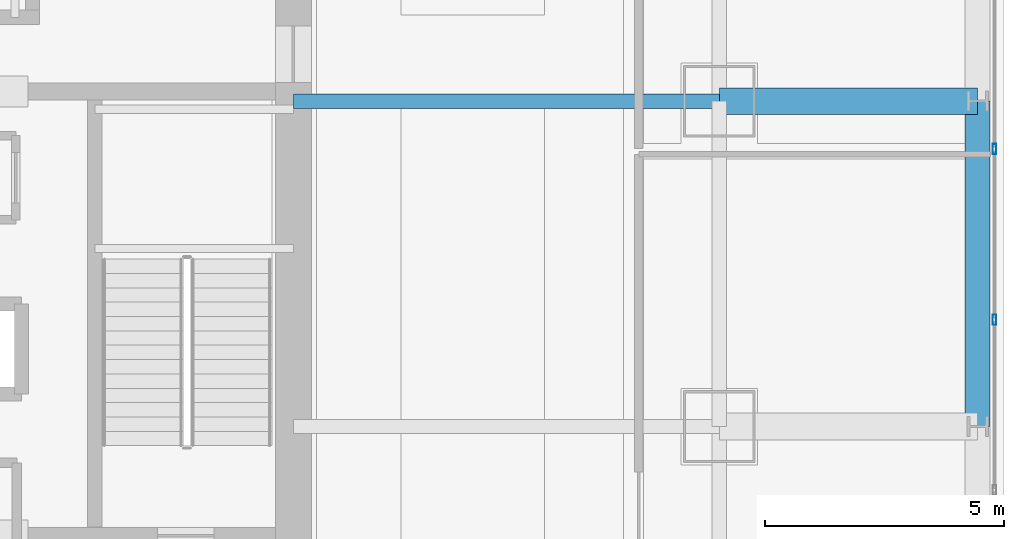
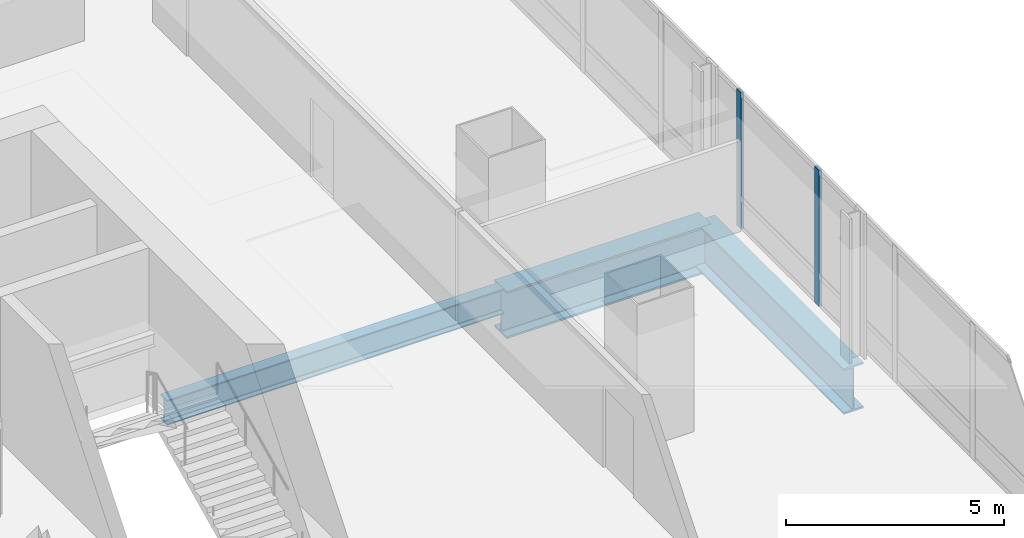
# One storey, part 16 of 34: 3 beams, 2 members, 1 element without a shape of its own.
"""IFC4 building model written with IfcOpenShell, lengths in metres."""

from ifc_helpers import new_model, si_unit, direction, frame, origin, origin_2d, place, context, subcontext, project, spatial, hollow_rectangle, i_section, extrude, material, material_profile, profile_set, type_object, element, aggregate, save


model = new_model("IFC4")

# Units and contexts
model_context = context("Model", 3, precision=1e-05, world=origin(), true_north=direction((0.0, 1.0)))
body_context = subcontext(model_context, "Body", "Model", "MODEL_VIEW")
ifc_project = project(units=[si_unit("LENGTHUNIT", "METRE"), si_unit("AREAUNIT", "SQUARE_METRE"), si_unit("VOLUMEUNIT", "CUBIC_METRE"), si_unit("PLANEANGLEUNIT", "RADIAN"), si_unit("MASSUNIT", "GRAM", prefix="KILO")], contexts=[model_context])

# Site, building, storey
site_placement = place(None, origin())
site = spatial("IfcSite", under=ifc_project, at=site_placement, CompositionType="ELEMENT")
building_placement = place(site_placement, origin())
building = spatial("IfcBuilding", under=site, at=building_placement, Name="Punatoya Terracotta Tower", CompositionType="ELEMENT")
storey_placement = place(building_placement, frame((0.0, 0.0, 97.050048828125)))
storey = spatial("IfcBuildingStorey", under=building, at=storey_placement, Name="L22", CompositionType="ELEMENT", Elevation=97.050048828125)

# Beams
ifc_material_1 = material(Name="Steel S355", Category="steel")
ifc_material_profile_1 = material_profile(ifc_material_1, i_section(OverallWidth=0.300048828125, OverallDepth=0.699951171875, WebThickness=0.01708984375, FlangeThickness=0.031982421875, FilletRadius=0.01806640625, at=origin_2d()))
ifc_profile_set_1 = profile_set([ifc_material_profile_1], Name="Steel S355")
beam_type_1 = type_object("IfcBeamType", Name="BM-PRI-700", PredefinedType="BEAM", material=ifc_profile_set_1)
beam_1_placement = place(storey_placement, frame((10.199951171875, 3.39990234375, -0.590087890625), z_axis=(1.0, 0.0, 0.0), x_axis=(0.0, 1.0, 0.0)))
element("IfcBeam", 1, at=beam_1_placement, inside=storey, type_object=beam_type_1, Name="BM-L22-PR-EE", PredefinedType="BEAM", context=body_context, shape_type="SweptSolid", body=[
    extrude(i_section(OverallWidth=0.300048828125, OverallDepth=0.699951171875, WebThickness=0.01708984375, FlangeThickness=0.031982421875, FilletRadius=0.01806640625, at=origin_2d()), origin(), (0.0, 0.0, 1.0), 8.900146484375),
])
ifc_material_2 = material(Name="Steel S460", Category="steel")
ifc_material_profile_2 = material_profile(ifc_material_2, i_section(OverallWidth=0.56005859375, OverallDepth=1.320068359375, WebThickness=0.035888671875, FlangeThickness=0.054931640625, FilletRadius=0.01806640625, at=origin_2d()))
ifc_profile_set_2 = profile_set([ifc_material_profile_2], Name="Steel S460")
beam_type_2 = type_object("IfcBeamType", Name="BM-TG-BLK", PredefinedType="BEAM", material=ifc_profile_set_2)
beam_2_placement = place(storey_placement, frame((19.10009765625, 3.39990234375, -0.900146484375), z_axis=(1.0, 0.0, 0.0), x_axis=(0.0, 1.0, 0.0)))
element("IfcBeam", 2, at=beam_2_placement, inside=storey, type_object=beam_type_2, Name="BM-L22-CANT-E3", PredefinedType="BEAM", context=body_context, shape_type="SweptSolid", body=[
    extrude(i_section(OverallWidth=0.56005859375, OverallDepth=1.320068359375, WebThickness=0.035888671875, FlangeThickness=0.054931640625, FilletRadius=0.01806640625, at=origin_2d()), origin(), (0.0, 0.0, 1.0), 5.39990234375),
])
ifc_material_profile_3 = material_profile(ifc_material_2, i_section(OverallWidth=0.52001953125, OverallDepth=1.280029296875, WebThickness=0.031982421875, FlangeThickness=0.050048828125, FilletRadius=0.01806640625, at=origin_2d()))
ifc_profile_set_3 = profile_set([ifc_material_profile_3], Name="Steel S460")
beam_type_3 = type_object("IfcBeamType", Name="BM-TG-NCK", PredefinedType="BEAM", material=ifc_profile_set_3)
beam_3_placement = place(storey_placement, frame((24.5, -3.39990234375, -0.880126953125), z_axis=(0.0, 1.0, 0.0), x_axis=(-1.0, 0.0, 0.0)))
element("IfcBeam", 3, at=beam_3_placement, inside=storey, type_object=beam_type_3, Name="BM-L22-PER-E2", PredefinedType="BEAM", context=body_context, shape_type="SweptSolid", body=[
    extrude(i_section(OverallWidth=0.52001953125, OverallDepth=1.280029296875, WebThickness=0.031982421875, FlangeThickness=0.050048828125, FilletRadius=0.01806640625, at=origin_2d()), origin(), (0.0, 0.0, 1.0), 6.7998046875),
])

# Curtain wall, members
ifc_material_3 = material(Name="Aluminium 6063-T6 + Double Low-E Glass", Category="aluminium")
curtain_wall_type = type_object("IfcCurtainWallType", Name="CW-M1", PredefinedType="NOTDEFINED", material=ifc_material_3)
curtain_wall_placement = place(storey_placement, origin())
curtain_wall = element("IfcCurtainWall", 4, at=curtain_wall_placement, inside=storey, type_object=curtain_wall_type, Name="L22 Curtain Wall CW-L22-E05-1", PredefinedType="NOTDEFINED")
ifc_material_4 = material(Name="Aluminium 6063-T6", Category="aluminium")
ifc_material_profile_4 = material_profile(ifc_material_4, hollow_rectangle(XDim=0.074951171875, YDim=0.2099609375, WallThickness=0.00439453125, at=origin_2d()))
ifc_profile_set_4 = profile_set([ifc_material_profile_4], Name="Aluminium 6063-T6")
member_type = type_object("IfcMemberType", Name="CW-MUL-M1", PredefinedType="MULLION", material=ifc_profile_set_4)
member_1_placement = place(storey_placement, frame((24.85009765625, -1.16748046875, 0.0), z_axis=(0.0, 0.0, 1.0), x_axis=(1.0, 0.0, 0.0)))
member_1 = element("IfcMember", 5, at=member_1_placement, type_object=member_type, Name="CW-L22-E05-1 Mullion 04", PredefinedType="MULLION", context=body_context, shape_type="SweptSolid", body=[
    extrude(hollow_rectangle(XDim=0.074951171875, YDim=0.2099609375, WallThickness=0.00439453125, at=origin_2d()), origin(), (0.0, 0.0, 1.0), 3.81005859375),
])
member_2_placement = place(storey_placement, frame((24.85009765625, 2.39990234375, 0.0), z_axis=(0.0, 0.0, 1.0), x_axis=(1.0, 0.0, 0.0)))
member_2 = element("IfcMember", 6, at=member_2_placement, type_object=member_type, Name="CW-L22-E05-1 Mullion 05", PredefinedType="MULLION", context=body_context, shape_type="SweptSolid", body=[
    extrude(hollow_rectangle(XDim=0.074951171875, YDim=0.2099609375, WallThickness=0.00439453125, at=origin_2d()), origin(), (0.0, 0.0, 1.0), 3.81005859375),
])
aggregate(curtain_wall, [member_1, member_2])

save(model, "model.ifc")
